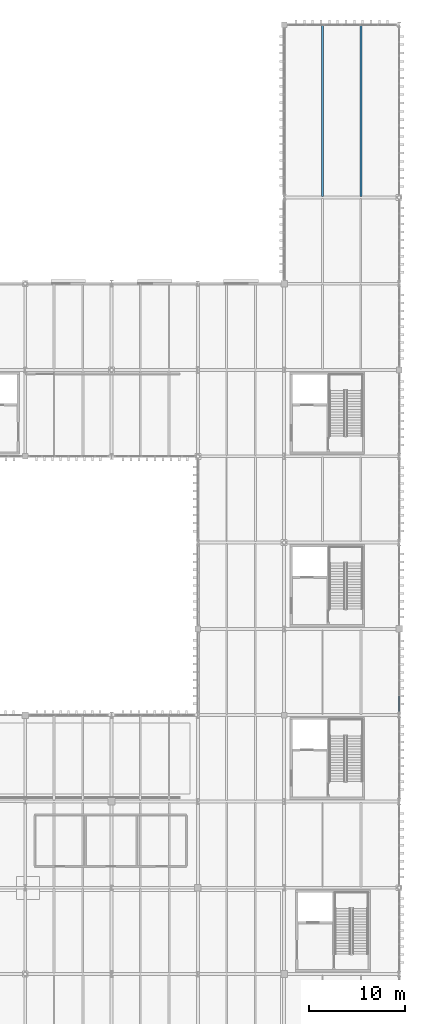
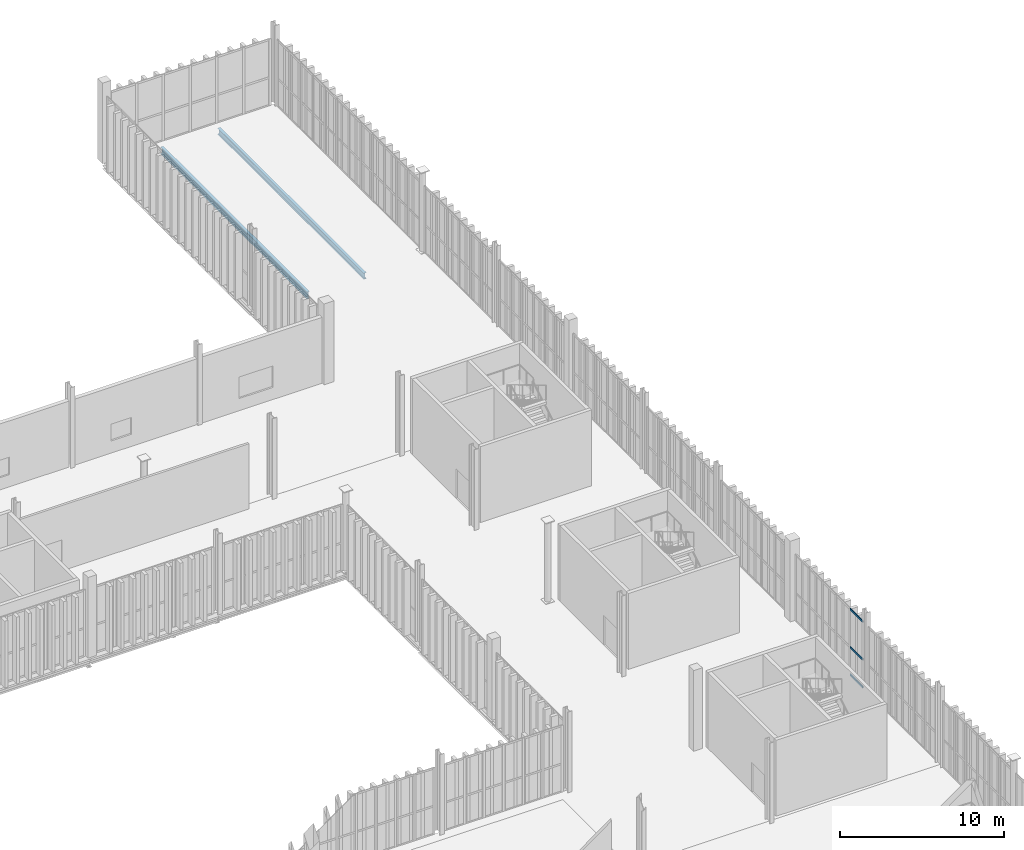
# One storey, part 126 of 211: 3 members, 2 beams, 1 element without a shape of its own.
"""IFC4 building model written with IfcOpenShell, lengths in metres."""

from ifc_helpers import new_model, si_unit, direction, frame, origin, origin_2d, place, context, subcontext, project, spatial, hollow_rectangle, i_section, extrude, material, layer, layer_set, material_profile, profile_set, type_object, element, aggregate, save


model = new_model("IFC4")

# Units and contexts
model_context = context("Model", 3, precision=1e-05, world=origin(), true_north=direction((0.0, 1.0)))
body_context = subcontext(model_context, "Body", "Model", "MODEL_VIEW")
ifc_project = project(units=[si_unit("LENGTHUNIT", "METRE"), si_unit("AREAUNIT", "SQUARE_METRE"), si_unit("VOLUMEUNIT", "CUBIC_METRE"), si_unit("PLANEANGLEUNIT", "RADIAN"), si_unit("MASSUNIT", "GRAM", prefix="KILO")], contexts=[model_context])

# Site, building, storey
site_placement = place(None, origin())
site = spatial("IfcSite", under=ifc_project, at=site_placement, CompositionType="ELEMENT")
building_placement = place(site_placement, origin())
building = spatial("IfcBuilding", under=site, at=building_placement, Name="Barlavento Convention Centre", CompositionType="ELEMENT")
storey_placement = place(building_placement, frame((0.0, 0.0, 6.0)))
storey = spatial("IfcBuildingStorey", under=building, at=storey_placement, Name="L01", CompositionType="ELEMENT", Elevation=6.0)

# Curtain wall, members
ifc_material_1 = material(Name="Powder-coated aluminium and Low-E glass", Category="aluminium")
ifc_layer = layer(ifc_material_1, 0.195068359375)
ifc_layer_set = layer_set([ifc_layer], Name="ARC-CW-FOY-L01")
curtain_wall_type = type_object("IfcCurtainWallType", Name="ARC-CW-FOY-L01", PredefinedType="NOTDEFINED", material=ifc_layer_set)
curtain_wall_placement = place(storey_placement, origin())
curtain_wall = element("IfcCurtainWall", 1, at=curtain_wall_placement, inside=storey, type_object=curtain_wall_type, Name="L01 unitised curtain wall CW03", PredefinedType="NOTDEFINED")
ifc_material_2 = material(Name="Powder-coated aluminium", Category="aluminium")
ifc_material_profile_1 = material_profile(ifc_material_2, hollow_rectangle(XDim=0.06005859375, YDim=0.139892578125, WallThickness=0.00390625, at=origin_2d()), Name="AL-TRAN 60x140x4")
ifc_profile_set_1 = profile_set([ifc_material_profile_1], Name="Powder-coated aluminium")
member_type = type_object("IfcMemberType", Name="ARC-CWT-60X140", PredefinedType="USERDEFINED", material=ifc_profile_set_1)
member_1_placement = place(storey_placement, frame((192.0, 63.39208984375, 0.030029296875), z_axis=(0.0, 1.0, 0.0), x_axis=(-1.0, 0.0, 0.0)))
member_1 = element("IfcMember", 2, at=member_1_placement, type_object=member_type, Name="CW03 transom 1.1", ObjectType="TRANSOM", PredefinedType="USERDEFINED", context=body_context, shape_type="SweptSolid", body=[
    extrude(hollow_rectangle(XDim=0.06005859375, YDim=0.139892578125, WallThickness=0.00390625, at=origin_2d()), origin(), (0.0, 0.0, 1.0), 1.5595703125),
])
member_2_placement = place(storey_placement, frame((192.0, 63.39208984375, 2.10009765625), z_axis=(0.0, 1.0, 0.0), x_axis=(-1.0, 0.0, 0.0)))
member_2 = element("IfcMember", 3, at=member_2_placement, type_object=member_type, Name="CW03 transom 1.2", ObjectType="TRANSOM", PredefinedType="USERDEFINED", context=body_context, shape_type="SweptSolid", body=[
    extrude(hollow_rectangle(XDim=0.06005859375, YDim=0.139892578125, WallThickness=0.00390625, at=origin_2d()), origin(), (0.0, 0.0, 1.0), 1.5595703125),
])
member_3_placement = place(storey_placement, frame((192.0, 63.39208984375, 4.919921875), z_axis=(0.0, 1.0, 0.0), x_axis=(-1.0, 0.0, 0.0)))
member_3 = element("IfcMember", 4, at=member_3_placement, type_object=member_type, Name="CW03 transom 1.3", ObjectType="TRANSOM", PredefinedType="USERDEFINED", context=body_context, shape_type="SweptSolid", body=[
    extrude(hollow_rectangle(XDim=0.06005859375, YDim=0.139892578125, WallThickness=0.00390625, at=origin_2d()), origin(), (0.0, 0.0, 1.0), 1.5595703125),
])
aggregate(curtain_wall, [member_1, member_2, member_3])

# Beams
ifc_material_3 = material(Name="Steel S355", Category="steel")
ifc_material_profile_2 = material_profile(ifc_material_3, i_section(OverallWidth=0.18994140625, OverallDepth=0.449951171875, WebThickness=0.009521484375, FlangeThickness=0.0146484375, FilletRadius=0.02099609375, at=origin_2d()), Name="IPE 450")
ifc_profile_set_2 = profile_set([ifc_material_profile_2], Name="Steel S355")
beam_type_1 = type_object("IfcBeamType", Name="STR-BM-JST-IPE450", PredefinedType="JOIST", material=ifc_profile_set_2)
beam_1_placement = place(storey_placement, frame((188.0, 117.094970703125, -0.554931640625), z_axis=(0.0, 1.0, 0.0), x_axis=(-1.0, 0.0, 0.0)))
element("IfcBeam", 5, at=beam_1_placement, inside=storey, type_object=beam_type_1, Name="L01 composite floor joist SJ03", PredefinedType="JOIST", context=body_context, shape_type="SweptSolid", body=[
    extrude(i_section(OverallWidth=0.18994140625, OverallDepth=0.449951171875, WebThickness=0.009521484375, FlangeThickness=0.0146484375, FilletRadius=0.02099609375, at=origin_2d()), origin(), (0.0, 0.0, 1.0), 17.81005859375),
])
ifc_material_profile_3 = material_profile(ifc_material_3, i_section(OverallWidth=0.199951171875, OverallDepth=0.5, WebThickness=0.01025390625, FlangeThickness=0.01611328125, FilletRadius=0.02099609375, at=origin_2d()), Name="IPE 500")
ifc_profile_set_3 = profile_set([ifc_material_profile_3], Name="Steel S355")
beam_type_2 = type_object("IfcBeamType", Name="STR-BM-JST-IPE500", PredefinedType="JOIST", material=ifc_profile_set_3)
beam_2_placement = place(storey_placement, frame((184.0, 117.094970703125, -0.580078125), z_axis=(0.0, 1.0, 0.0), x_axis=(-1.0, 0.0, 0.0)))
element("IfcBeam", 6, at=beam_2_placement, inside=storey, type_object=beam_type_2, Name="L01 composite floor joist SJ02", PredefinedType="JOIST", context=body_context, shape_type="SweptSolid", body=[
    extrude(i_section(OverallWidth=0.199951171875, OverallDepth=0.5, WebThickness=0.01025390625, FlangeThickness=0.01611328125, FilletRadius=0.02099609375, at=origin_2d()), origin(), (0.0, 0.0, 1.0), 17.81005859375),
])

save(model, "model.ifc")
